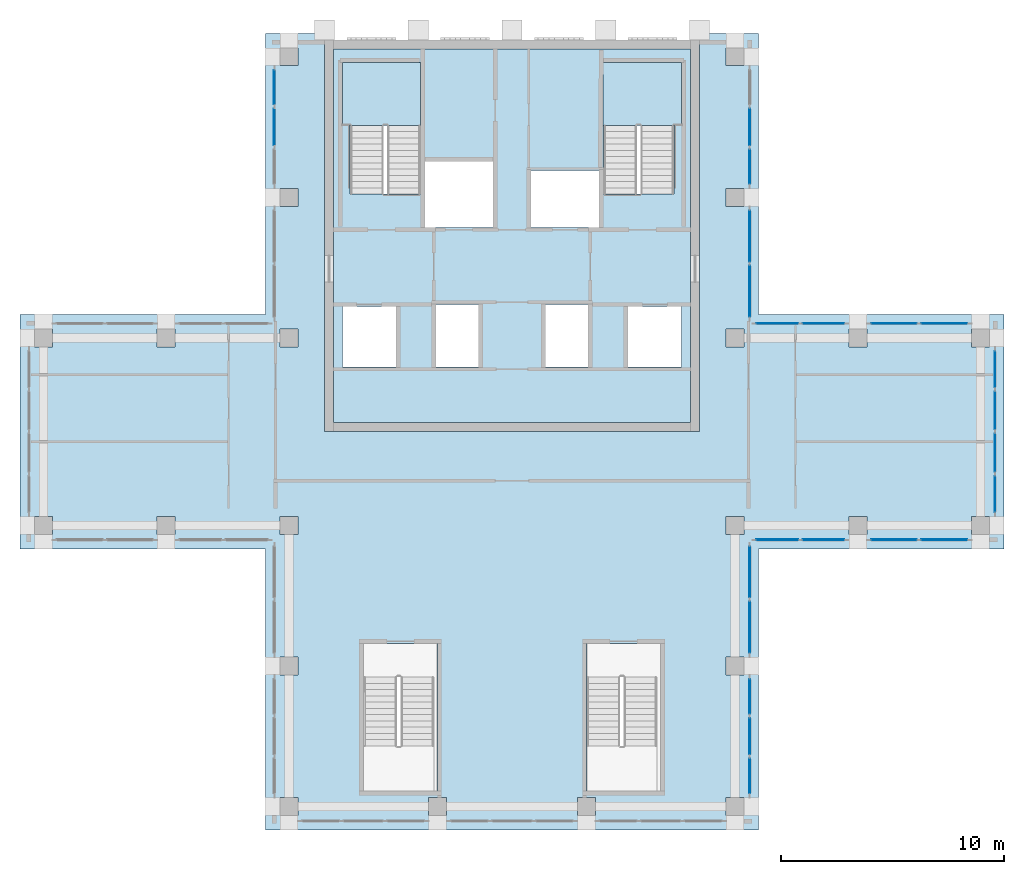
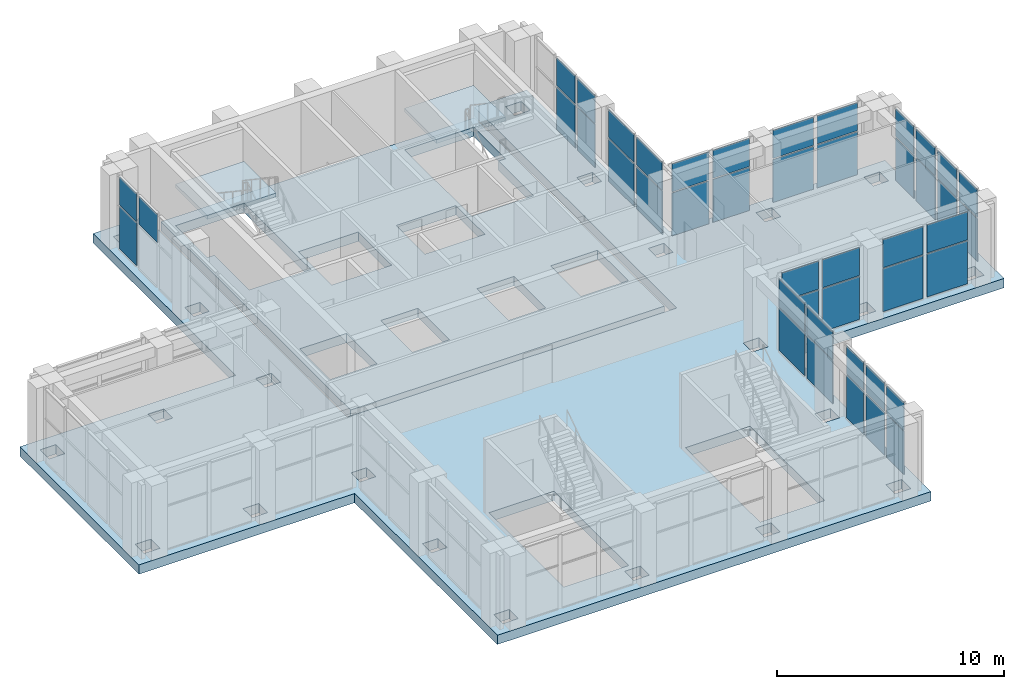
# One storey, part 8 of 14: 45 plates, 4 slabs, 12 elements without a shape of their own.
"""IFC4 building model written with IfcOpenShell, lengths in metres."""

from ifc_helpers import new_model, si_unit, direction, frame, origin, origin_2d, place, context, subcontext, project, spatial, polyline, rectangle, outline, extrude, material, layer, layer_set, type_object, element, aggregate, save


model = new_model("IFC4")

# Units and contexts
model_context = context("Model", 3, precision=1e-05, world=origin(), true_north=direction((0.0, 1.0)))
body_context = subcontext(model_context, "Body", "Model", "MODEL_VIEW")
ifc_project = project(units=[si_unit("LENGTHUNIT", "METRE"), si_unit("AREAUNIT", "SQUARE_METRE"), si_unit("VOLUMEUNIT", "CUBIC_METRE"), si_unit("PLANEANGLEUNIT", "RADIAN"), si_unit("MASSUNIT", "GRAM", prefix="KILO")], contexts=[model_context])

# Site, building, storey
site_placement = place(None, origin())
site = spatial("IfcSite", under=ifc_project, at=site_placement, CompositionType="ELEMENT")
building_placement = place(site_placement, origin())
building = spatial("IfcBuilding", under=site, at=building_placement, Name="Vermilion Ogive Tower", CompositionType="ELEMENT")
storey_placement = place(building_placement, frame((0.0, 0.0, 289.35009765625)))
storey = spatial("IfcBuildingStorey", under=building, at=storey_placement, Name="L75", CompositionType="ELEMENT", Elevation=289.35009765625)

# Curtain wall, plates
ifc_material_1 = material(Name="Low-iron laminated glazing in aluminium frame", Category="aluminium")
curtain_wall_type = type_object("IfcCurtainWallType", Name="Curtain wall CW3", PredefinedType="NOTDEFINED", material=ifc_material_1)
curtain_wall_1_placement = place(storey_placement, origin())
curtain_wall_1 = element("IfcCurtainWall", 1, at=curtain_wall_1_placement, inside=storey, type_object=curtain_wall_type, Name="CW3 glazing X11", PredefinedType="NOTDEFINED")
ifc_material_2 = material(Name="Low-iron laminated glazing in aluminium frame", Category="aluminium")
ifc_layer_1 = layer(ifc_material_2, 0.035888671875)
ifc_layer_set_1 = layer_set([ifc_layer_1], Name="CW3 glazing panel 36")
plate_type = type_object("IfcPlateType", Name="CW3 glazing panel 36", PredefinedType="CURTAIN_PANEL", material=ifc_layer_set_1)
plate_1_placement = place(storey_placement, frame((10.64990234375, -11.2333984375, 0.059814453125), z_axis=(0.0, 0.0, 1.0), x_axis=(0.0, 1.0, 0.0)))
plate_1 = element("IfcPlate", 2, at=plate_1_placement, type_object=plate_type, Name="CW3-X11 panel 1.1", PredefinedType="CURTAIN_PANEL", context=body_context, shape_type="SweptSolid", body=[
    extrude(rectangle(XDim=1.533447265625, YDim=0.035888671875, at=origin_2d()), origin(), (0.0, 0.0, 1.0), 2.31005859375),
])
plate_2_placement = place(storey_placement, frame((10.64990234375, -11.2333984375, 2.4296875), z_axis=(0.0, 0.0, 1.0), x_axis=(0.0, 1.0, 0.0)))
plate_2 = element("IfcPlate", 3, at=plate_2_placement, type_object=plate_type, Name="CW3-X11 panel 1.2", PredefinedType="CURTAIN_PANEL", context=body_context, shape_type="SweptSolid", body=[
    extrude(rectangle(XDim=1.533447265625, YDim=0.035888671875, at=origin_2d()), origin(), (0.0, 0.0, 1.0), 1.510009765625),
])
plate_3_placement = place(storey_placement, frame((10.64990234375, -9.449951171875, 0.059814453125), z_axis=(0.0, 0.0, 1.0), x_axis=(0.0, 1.0, 0.0)))
plate_3 = element("IfcPlate", 4, at=plate_3_placement, type_object=plate_type, Name="CW3-X11 panel 2.1", PredefinedType="CURTAIN_PANEL", context=body_context, shape_type="SweptSolid", body=[
    extrude(rectangle(XDim=1.63330078125, YDim=0.035888671875, at=origin_2d()), origin(), (0.0, 0.0, 1.0), 2.31005859375),
])
plate_4_placement = place(storey_placement, frame((10.64990234375, -9.449951171875, 2.4296875), z_axis=(0.0, 0.0, 1.0), x_axis=(0.0, 1.0, 0.0)))
plate_4 = element("IfcPlate", 5, at=plate_4_placement, type_object=plate_type, Name="CW3-X11 panel 2.2", PredefinedType="CURTAIN_PANEL", context=body_context, shape_type="SweptSolid", body=[
    extrude(rectangle(XDim=1.63330078125, YDim=0.035888671875, at=origin_2d()), origin(), (0.0, 0.0, 1.0), 1.510009765625),
])
plate_5_placement = place(storey_placement, frame((10.64990234375, -7.666748046875, 0.059814453125), z_axis=(0.0, 0.0, 1.0), x_axis=(0.0, 1.0, 0.0)))
plate_5 = element("IfcPlate", 6, at=plate_5_placement, type_object=plate_type, Name="CW3-X11 panel 3.1", PredefinedType="CURTAIN_PANEL", context=body_context, shape_type="SweptSolid", body=[
    extrude(rectangle(XDim=1.533447265625, YDim=0.035888671875, at=origin_2d()), origin(), (0.0, 0.0, 1.0), 2.31005859375),
])
plate_6_placement = place(storey_placement, frame((10.64990234375, -7.666748046875, 2.4296875), z_axis=(0.0, 0.0, 1.0), x_axis=(0.0, 1.0, 0.0)))
plate_6 = element("IfcPlate", 7, at=plate_6_placement, type_object=plate_type, Name="CW3-X11 panel 3.2", PredefinedType="CURTAIN_PANEL", context=body_context, shape_type="SweptSolid", body=[
    extrude(rectangle(XDim=1.533447265625, YDim=0.035888671875, at=origin_2d()), origin(), (0.0, 0.0, 1.0), 1.510009765625),
])
aggregate(curtain_wall_1, [plate_1, plate_2, plate_3, plate_4, plate_5, plate_6])

curtain_wall_2_placement = place(storey_placement, origin())
curtain_wall_2 = element("IfcCurtainWall", 8, at=curtain_wall_2_placement, inside=storey, type_object=curtain_wall_type, Name="CW3 glazing X12", PredefinedType="NOTDEFINED")
plate_7_placement = place(storey_placement, frame((10.64990234375, -4.5625, 0.059814453125), z_axis=(0.0, 0.0, 1.0), x_axis=(0.0, 1.0, 0.0)))
plate_7 = element("IfcPlate", 9, at=plate_7_placement, type_object=plate_type, Name="CW3-X12 panel 1.1", PredefinedType="CURTAIN_PANEL", context=body_context, shape_type="SweptSolid", body=[
    extrude(rectangle(XDim=2.27490234375, YDim=0.035888671875, at=origin_2d()), origin(), (0.0, 0.0, 1.0), 2.31005859375),
])
plate_8_placement = place(storey_placement, frame((10.64990234375, -4.5625, 2.4296875), z_axis=(0.0, 0.0, 1.0), x_axis=(0.0, 1.0, 0.0)))
plate_8 = element("IfcPlate", 10, at=plate_8_placement, type_object=plate_type, Name="CW3-X12 panel 1.2", PredefinedType="CURTAIN_PANEL", context=body_context, shape_type="SweptSolid", body=[
    extrude(rectangle(XDim=2.27490234375, YDim=0.035888671875, at=origin_2d()), origin(), (0.0, 0.0, 1.0), 1.510009765625),
])
plate_9_placement = place(storey_placement, frame((10.64990234375, -2.08740234375, 0.059814453125), z_axis=(0.0, 0.0, 1.0), x_axis=(0.0, 1.0, 0.0)))
plate_9 = element("IfcPlate", 11, at=plate_9_placement, type_object=plate_type, Name="CW3-X12 panel 2.1", PredefinedType="CURTAIN_PANEL", context=body_context, shape_type="SweptSolid", body=[
    extrude(rectangle(XDim=2.27490234375, YDim=0.035888671875, at=origin_2d()), origin(), (0.0, 0.0, 1.0), 2.31005859375),
])
plate_10_placement = place(storey_placement, frame((10.64990234375, -2.08740234375, 2.4296875), z_axis=(0.0, 0.0, 1.0), x_axis=(0.0, 1.0, 0.0)))
plate_10 = element("IfcPlate", 12, at=plate_10_placement, type_object=plate_type, Name="CW3-X12 panel 2.2", PredefinedType="CURTAIN_PANEL", context=body_context, shape_type="SweptSolid", body=[
    extrude(rectangle(XDim=2.27490234375, YDim=0.035888671875, at=origin_2d()), origin(), (0.0, 0.0, 1.0), 1.510009765625),
])
aggregate(curtain_wall_2, [plate_7, plate_8, plate_9, plate_10])

curtain_wall_3_placement = place(storey_placement, origin())
curtain_wall_3 = element("IfcCurtainWall", 13, at=curtain_wall_3_placement, inside=storey, type_object=curtain_wall_type, Name="CW3 glazing X21", PredefinedType="NOTDEFINED")
plate_11_placement = place(storey_placement, frame((11.887451171875, -0.64990234375, 0.059814453125), z_axis=(0.0, 0.0, 1.0), x_axis=(1.0, 0.0, 0.0)))
plate_11 = element("IfcPlate", 14, at=plate_11_placement, type_object=plate_type, Name="CW3-X21 panel 1.1", PredefinedType="CURTAIN_PANEL", context=body_context, shape_type="SweptSolid", body=[
    extrude(rectangle(XDim=1.875, YDim=0.035888671875, at=origin_2d()), origin(), (0.0, 0.0, 1.0), 2.31005859375),
])
plate_12_placement = place(storey_placement, frame((11.887451171875, -0.64990234375, 2.4296875), z_axis=(0.0, 0.0, 1.0), x_axis=(1.0, 0.0, 0.0)))
plate_12 = element("IfcPlate", 15, at=plate_12_placement, type_object=plate_type, Name="CW3-X21 panel 1.2", PredefinedType="CURTAIN_PANEL", context=body_context, shape_type="SweptSolid", body=[
    extrude(rectangle(XDim=1.875, YDim=0.035888671875, at=origin_2d()), origin(), (0.0, 0.0, 1.0), 1.510009765625),
])
plate_13_placement = place(storey_placement, frame((13.96240234375, -0.64990234375, 0.059814453125), z_axis=(0.0, 0.0, 1.0), x_axis=(1.0, 0.0, 0.0)))
plate_13 = element("IfcPlate", 16, at=plate_13_placement, type_object=plate_type, Name="CW3-X21 panel 2.1", PredefinedType="CURTAIN_PANEL", context=body_context, shape_type="SweptSolid", body=[
    extrude(rectangle(XDim=1.875, YDim=0.035888671875, at=origin_2d()), origin(), (0.0, 0.0, 1.0), 2.31005859375),
])
plate_14_placement = place(storey_placement, frame((13.96240234375, -0.64990234375, 2.4296875), z_axis=(0.0, 0.0, 1.0), x_axis=(1.0, 0.0, 0.0)))
plate_14 = element("IfcPlate", 17, at=plate_14_placement, type_object=plate_type, Name="CW3-X21 panel 2.2", PredefinedType="CURTAIN_PANEL", context=body_context, shape_type="SweptSolid", body=[
    extrude(rectangle(XDim=1.875, YDim=0.035888671875, at=origin_2d()), origin(), (0.0, 0.0, 1.0), 1.510009765625),
])
aggregate(curtain_wall_3, [plate_11, plate_12, plate_13, plate_14])

curtain_wall_4_placement = place(storey_placement, origin())
curtain_wall_4 = element("IfcCurtainWall", 18, at=curtain_wall_4_placement, inside=storey, type_object=curtain_wall_type, Name="CW3 glazing X22", PredefinedType="NOTDEFINED")
plate_15_placement = place(storey_placement, frame((17.125, -0.64990234375, 0.059814453125), z_axis=(0.0, 0.0, 1.0), x_axis=(1.0, 0.0, 0.0)))
plate_15 = element("IfcPlate", 19, at=plate_15_placement, type_object=plate_type, Name="CW3-X22 panel 1.1", PredefinedType="CURTAIN_PANEL", context=body_context, shape_type="SweptSolid", body=[
    extrude(rectangle(XDim=2.050048828125, YDim=0.035888671875, at=origin_2d()), origin(), (0.0, 0.0, 1.0), 2.31005859375),
])
plate_16_placement = place(storey_placement, frame((17.125, -0.64990234375, 2.4296875), z_axis=(0.0, 0.0, 1.0), x_axis=(1.0, 0.0, 0.0)))
plate_16 = element("IfcPlate", 20, at=plate_16_placement, type_object=plate_type, Name="CW3-X22 panel 1.2", PredefinedType="CURTAIN_PANEL", context=body_context, shape_type="SweptSolid", body=[
    extrude(rectangle(XDim=2.050048828125, YDim=0.035888671875, at=origin_2d()), origin(), (0.0, 0.0, 1.0), 1.510009765625),
])
plate_17_placement = place(storey_placement, frame((19.375, -0.64990234375, 0.059814453125), z_axis=(0.0, 0.0, 1.0), x_axis=(1.0, 0.0, 0.0)))
plate_17 = element("IfcPlate", 21, at=plate_17_placement, type_object=plate_type, Name="CW3-X22 panel 2.1", PredefinedType="CURTAIN_PANEL", context=body_context, shape_type="SweptSolid", body=[
    extrude(rectangle(XDim=2.050048828125, YDim=0.035888671875, at=origin_2d()), origin(), (0.0, 0.0, 1.0), 2.31005859375),
])
plate_18_placement = place(storey_placement, frame((19.375, -0.64990234375, 2.4296875), z_axis=(0.0, 0.0, 1.0), x_axis=(1.0, 0.0, 0.0)))
plate_18 = element("IfcPlate", 22, at=plate_18_placement, type_object=plate_type, Name="CW3-X22 panel 2.2", PredefinedType="CURTAIN_PANEL", context=body_context, shape_type="SweptSolid", body=[
    extrude(rectangle(XDim=2.050048828125, YDim=0.035888671875, at=origin_2d()), origin(), (0.0, 0.0, 1.0), 1.510009765625),
])
aggregate(curtain_wall_4, [plate_15, plate_16, plate_17, plate_18])

curtain_wall_5_placement = place(storey_placement, origin())
curtain_wall_5 = element("IfcCurtainWall", 23, at=curtain_wall_5_placement, inside=storey, type_object=curtain_wall_type, Name="CW3 glazing E1", PredefinedType="NOTDEFINED")
plate_19_placement = place(storey_placement, frame((21.64990234375, 1.39990234375, 0.059814453125), z_axis=(0.0, 0.0, 1.0), x_axis=(0.0, 1.0, 0.0)))
plate_19 = element("IfcPlate", 24, at=plate_19_placement, type_object=plate_type, Name="CW3-E1 panel 1.1", PredefinedType="CURTAIN_PANEL", context=body_context, shape_type="SweptSolid", body=[
    extrude(rectangle(XDim=1.60009765625, YDim=0.035888671875, at=origin_2d()), origin(), (0.0, 0.0, 1.0), 2.31005859375),
])
plate_20_placement = place(storey_placement, frame((21.64990234375, 1.39990234375, 2.4296875), z_axis=(0.0, 0.0, 1.0), x_axis=(0.0, 1.0, 0.0)))
plate_20 = element("IfcPlate", 25, at=plate_20_placement, type_object=plate_type, Name="CW3-E1 panel 1.2", PredefinedType="CURTAIN_PANEL", context=body_context, shape_type="SweptSolid", body=[
    extrude(rectangle(XDim=1.60009765625, YDim=0.035888671875, at=origin_2d()), origin(), (0.0, 0.0, 1.0), 1.510009765625),
])
plate_21_placement = place(storey_placement, frame((21.64990234375, 3.25, 0.059814453125), z_axis=(0.0, 0.0, 1.0), x_axis=(0.0, 1.0, 0.0)))
plate_21 = element("IfcPlate", 26, at=plate_21_placement, type_object=plate_type, Name="CW3-E1 panel 2.1", PredefinedType="CURTAIN_PANEL", context=body_context, shape_type="SweptSolid", body=[
    extrude(rectangle(XDim=1.699951171875, YDim=0.035888671875, at=origin_2d()), origin(), (0.0, 0.0, 1.0), 2.31005859375),
])
plate_22_placement = place(storey_placement, frame((21.64990234375, 3.25, 2.4296875), z_axis=(0.0, 0.0, 1.0), x_axis=(0.0, 1.0, 0.0)))
plate_22 = element("IfcPlate", 27, at=plate_22_placement, type_object=plate_type, Name="CW3-E1 panel 2.2", PredefinedType="CURTAIN_PANEL", context=body_context, shape_type="SweptSolid", body=[
    extrude(rectangle(XDim=1.699951171875, YDim=0.035888671875, at=origin_2d()), origin(), (0.0, 0.0, 1.0), 1.510009765625),
])
plate_23_placement = place(storey_placement, frame((21.64990234375, 5.14990234375, 0.059814453125), z_axis=(0.0, 0.0, 1.0), x_axis=(0.0, 1.0, 0.0)))
plate_23 = element("IfcPlate", 28, at=plate_23_placement, type_object=plate_type, Name="CW3-E1 panel 3.1", PredefinedType="CURTAIN_PANEL", context=body_context, shape_type="SweptSolid", body=[
    extrude(rectangle(XDim=1.699951171875, YDim=0.035888671875, at=origin_2d()), origin(), (0.0, 0.0, 1.0), 2.31005859375),
])
plate_24_placement = place(storey_placement, frame((21.64990234375, 5.14990234375, 2.4296875), z_axis=(0.0, 0.0, 1.0), x_axis=(0.0, 1.0, 0.0)))
plate_24 = element("IfcPlate", 29, at=plate_24_placement, type_object=plate_type, Name="CW3-E1 panel 3.2", PredefinedType="CURTAIN_PANEL", context=body_context, shape_type="SweptSolid", body=[
    extrude(rectangle(XDim=1.699951171875, YDim=0.035888671875, at=origin_2d()), origin(), (0.0, 0.0, 1.0), 1.510009765625),
])
plate_25_placement = place(storey_placement, frame((21.64990234375, 7.0, 0.059814453125), z_axis=(0.0, 0.0, 1.0), x_axis=(0.0, 1.0, 0.0)))
plate_25 = element("IfcPlate", 30, at=plate_25_placement, type_object=plate_type, Name="CW3-E1 panel 4.1", PredefinedType="CURTAIN_PANEL", context=body_context, shape_type="SweptSolid", body=[
    extrude(rectangle(XDim=1.60009765625, YDim=0.035888671875, at=origin_2d()), origin(), (0.0, 0.0, 1.0), 2.31005859375),
])
plate_26_placement = place(storey_placement, frame((21.64990234375, 7.0, 2.4296875), z_axis=(0.0, 0.0, 1.0), x_axis=(0.0, 1.0, 0.0)))
plate_26 = element("IfcPlate", 31, at=plate_26_placement, type_object=plate_type, Name="CW3-E1 panel 4.2", PredefinedType="CURTAIN_PANEL", context=body_context, shape_type="SweptSolid", body=[
    extrude(rectangle(XDim=1.60009765625, YDim=0.035888671875, at=origin_2d()), origin(), (0.0, 0.0, 1.0), 1.510009765625),
])
aggregate(curtain_wall_5, [plate_19, plate_20, plate_21, plate_22, plate_23, plate_24, plate_25, plate_26])

curtain_wall_6_placement = place(storey_placement, origin())
curtain_wall_6 = element("IfcCurtainWall", 32, at=curtain_wall_6_placement, inside=storey, type_object=curtain_wall_type, Name="CW3 glazing X31", PredefinedType="NOTDEFINED")
plate_27_placement = place(storey_placement, frame((19.375, 9.050048828125, 0.059814453125), z_axis=(0.0, 0.0, 1.0), x_axis=(-1.0, 0.0, 0.0)))
plate_27 = element("IfcPlate", 33, at=plate_27_placement, type_object=plate_type, Name="CW3-X31 panel 1.1", PredefinedType="CURTAIN_PANEL", context=body_context, shape_type="SweptSolid", body=[
    extrude(rectangle(XDim=2.050048828125, YDim=0.035888671875, at=origin_2d()), origin(), (0.0, 0.0, 1.0), 2.31005859375),
])
plate_28_placement = place(storey_placement, frame((19.375, 9.050048828125, 2.4296875), z_axis=(0.0, 0.0, 1.0), x_axis=(-1.0, 0.0, 0.0)))
plate_28 = element("IfcPlate", 34, at=plate_28_placement, type_object=plate_type, Name="CW3-X31 panel 1.2", PredefinedType="CURTAIN_PANEL", context=body_context, shape_type="SweptSolid", body=[
    extrude(rectangle(XDim=2.050048828125, YDim=0.035888671875, at=origin_2d()), origin(), (0.0, 0.0, 1.0), 1.510009765625),
])
plate_29_placement = place(storey_placement, frame((17.125, 9.050048828125, 0.059814453125), z_axis=(0.0, 0.0, 1.0), x_axis=(-1.0, 0.0, 0.0)))
plate_29 = element("IfcPlate", 35, at=plate_29_placement, type_object=plate_type, Name="CW3-X31 panel 2.1", PredefinedType="CURTAIN_PANEL", context=body_context, shape_type="SweptSolid", body=[
    extrude(rectangle(XDim=2.050048828125, YDim=0.035888671875, at=origin_2d()), origin(), (0.0, 0.0, 1.0), 2.31005859375),
])
plate_30_placement = place(storey_placement, frame((17.125, 9.050048828125, 2.4296875), z_axis=(0.0, 0.0, 1.0), x_axis=(-1.0, 0.0, 0.0)))
plate_30 = element("IfcPlate", 36, at=plate_30_placement, type_object=plate_type, Name="CW3-X31 panel 2.2", PredefinedType="CURTAIN_PANEL", context=body_context, shape_type="SweptSolid", body=[
    extrude(rectangle(XDim=2.050048828125, YDim=0.035888671875, at=origin_2d()), origin(), (0.0, 0.0, 1.0), 1.510009765625),
])
aggregate(curtain_wall_6, [plate_27, plate_28, plate_29, plate_30])

curtain_wall_7_placement = place(storey_placement, origin())
curtain_wall_7 = element("IfcCurtainWall", 37, at=curtain_wall_7_placement, inside=storey, type_object=curtain_wall_type, Name="CW3 glazing X32", PredefinedType="NOTDEFINED")
plate_31_placement = place(storey_placement, frame((13.96240234375, 9.050048828125, 0.059814453125), z_axis=(0.0, 0.0, 1.0), x_axis=(-1.0, 0.0, 0.0)))
plate_31 = element("IfcPlate", 38, at=plate_31_placement, type_object=plate_type, Name="CW3-X32 panel 1.1", PredefinedType="CURTAIN_PANEL", context=body_context, shape_type="SweptSolid", body=[
    extrude(rectangle(XDim=1.875, YDim=0.035888671875, at=origin_2d()), origin(), (0.0, 0.0, 1.0), 2.31005859375),
])
plate_32_placement = place(storey_placement, frame((13.96240234375, 9.050048828125, 2.4296875), z_axis=(0.0, 0.0, 1.0), x_axis=(-1.0, 0.0, 0.0)))
plate_32 = element("IfcPlate", 39, at=plate_32_placement, type_object=plate_type, Name="CW3-X32 panel 1.2", PredefinedType="CURTAIN_PANEL", context=body_context, shape_type="SweptSolid", body=[
    extrude(rectangle(XDim=1.875, YDim=0.035888671875, at=origin_2d()), origin(), (0.0, 0.0, 1.0), 1.510009765625),
])
plate_33_placement = place(storey_placement, frame((11.887451171875, 9.050048828125, 0.059814453125), z_axis=(0.0, 0.0, 1.0), x_axis=(-1.0, 0.0, 0.0)))
plate_33 = element("IfcPlate", 40, at=plate_33_placement, type_object=plate_type, Name="CW3-X32 panel 2.1", PredefinedType="CURTAIN_PANEL", context=body_context, shape_type="SweptSolid", body=[
    extrude(rectangle(XDim=1.875, YDim=0.035888671875, at=origin_2d()), origin(), (0.0, 0.0, 1.0), 2.31005859375),
])
plate_34_placement = place(storey_placement, frame((11.887451171875, 9.050048828125, 2.4296875), z_axis=(0.0, 0.0, 1.0), x_axis=(-1.0, 0.0, 0.0)))
plate_34 = element("IfcPlate", 41, at=plate_34_placement, type_object=plate_type, Name="CW3-X32 panel 2.2", PredefinedType="CURTAIN_PANEL", context=body_context, shape_type="SweptSolid", body=[
    extrude(rectangle(XDim=1.875, YDim=0.035888671875, at=origin_2d()), origin(), (0.0, 0.0, 1.0), 1.510009765625),
])
aggregate(curtain_wall_7, [plate_31, plate_32, plate_33, plate_34])

curtain_wall_8_placement = place(storey_placement, origin())
curtain_wall_8 = element("IfcCurtainWall", 42, at=curtain_wall_8_placement, inside=storey, type_object=curtain_wall_type, Name="CW3 glazing X41", PredefinedType="NOTDEFINED")
plate_35_placement = place(storey_placement, frame((10.64990234375, 10.487548828125, 0.059814453125), z_axis=(0.0, 0.0, 1.0), x_axis=(0.0, 1.0, 0.0)))
plate_35 = element("IfcPlate", 43, at=plate_35_placement, type_object=plate_type, Name="CW3-X41 panel 1.1", PredefinedType="CURTAIN_PANEL", context=body_context, shape_type="SweptSolid", body=[
    extrude(rectangle(XDim=2.27490234375, YDim=0.035888671875, at=origin_2d()), origin(), (0.0, 0.0, 1.0), 2.31005859375),
])
plate_36_placement = place(storey_placement, frame((10.64990234375, 10.487548828125, 2.4296875), z_axis=(0.0, 0.0, 1.0), x_axis=(0.0, 1.0, 0.0)))
plate_36 = element("IfcPlate", 44, at=plate_36_placement, type_object=plate_type, Name="CW3-X41 panel 1.2", PredefinedType="CURTAIN_PANEL", context=body_context, shape_type="SweptSolid", body=[
    extrude(rectangle(XDim=2.27490234375, YDim=0.035888671875, at=origin_2d()), origin(), (0.0, 0.0, 1.0), 1.510009765625),
])
plate_37_placement = place(storey_placement, frame((10.64990234375, 12.96240234375, 0.059814453125), z_axis=(0.0, 0.0, 1.0), x_axis=(0.0, 1.0, 0.0)))
plate_37 = element("IfcPlate", 45, at=plate_37_placement, type_object=plate_type, Name="CW3-X41 panel 2.1", PredefinedType="CURTAIN_PANEL", context=body_context, shape_type="SweptSolid", body=[
    extrude(rectangle(XDim=2.27490234375, YDim=0.035888671875, at=origin_2d()), origin(), (0.0, 0.0, 1.0), 2.31005859375),
])
plate_38_placement = place(storey_placement, frame((10.64990234375, 12.96240234375, 2.4296875), z_axis=(0.0, 0.0, 1.0), x_axis=(0.0, 1.0, 0.0)))
plate_38 = element("IfcPlate", 46, at=plate_38_placement, type_object=plate_type, Name="CW3-X41 panel 2.2", PredefinedType="CURTAIN_PANEL", context=body_context, shape_type="SweptSolid", body=[
    extrude(rectangle(XDim=2.27490234375, YDim=0.035888671875, at=origin_2d()), origin(), (0.0, 0.0, 1.0), 1.510009765625),
])
aggregate(curtain_wall_8, [plate_35, plate_36, plate_37, plate_38])

curtain_wall_9_placement = place(storey_placement, origin())
curtain_wall_9 = element("IfcCurtainWall", 47, at=curtain_wall_9_placement, inside=storey, type_object=curtain_wall_type, Name="CW3 glazing X42", PredefinedType="NOTDEFINED")
plate_39_placement = place(storey_placement, frame((10.64990234375, 16.066650390625, 0.059814453125), z_axis=(0.0, 0.0, 1.0), x_axis=(0.0, 1.0, 0.0)))
plate_39 = element("IfcPlate", 48, at=plate_39_placement, type_object=plate_type, Name="CW3-X42 panel 1.1", PredefinedType="CURTAIN_PANEL", context=body_context, shape_type="SweptSolid", body=[
    extrude(rectangle(XDim=1.533447265625, YDim=0.035888671875, at=origin_2d()), origin(), (0.0, 0.0, 1.0), 2.31005859375),
])
plate_40_placement = place(storey_placement, frame((10.64990234375, 16.066650390625, 2.4296875), z_axis=(0.0, 0.0, 1.0), x_axis=(0.0, 1.0, 0.0)))
plate_40 = element("IfcPlate", 49, at=plate_40_placement, type_object=plate_type, Name="CW3-X42 panel 1.2", PredefinedType="CURTAIN_PANEL", context=body_context, shape_type="SweptSolid", body=[
    extrude(rectangle(XDim=1.533447265625, YDim=0.035888671875, at=origin_2d()), origin(), (0.0, 0.0, 1.0), 1.510009765625),
])
plate_41_placement = place(storey_placement, frame((10.64990234375, 17.85009765625, 0.059814453125), z_axis=(0.0, 0.0, 1.0), x_axis=(0.0, 1.0, 0.0)))
plate_41 = element("IfcPlate", 50, at=plate_41_placement, type_object=plate_type, Name="CW3-X42 panel 2.1", PredefinedType="CURTAIN_PANEL", context=body_context, shape_type="SweptSolid", body=[
    extrude(rectangle(XDim=1.63330078125, YDim=0.035888671875, at=origin_2d()), origin(), (0.0, 0.0, 1.0), 2.31005859375),
])
plate_42_placement = place(storey_placement, frame((10.64990234375, 17.85009765625, 2.4296875), z_axis=(0.0, 0.0, 1.0), x_axis=(0.0, 1.0, 0.0)))
plate_42 = element("IfcPlate", 51, at=plate_42_placement, type_object=plate_type, Name="CW3-X42 panel 2.2", PredefinedType="CURTAIN_PANEL", context=body_context, shape_type="SweptSolid", body=[
    extrude(rectangle(XDim=1.63330078125, YDim=0.035888671875, at=origin_2d()), origin(), (0.0, 0.0, 1.0), 1.510009765625),
])
aggregate(curtain_wall_9, [plate_39, plate_40, plate_41, plate_42])

curtain_wall_10_placement = place(storey_placement, origin())
curtain_wall_10 = element("IfcCurtainWall", 52, at=curtain_wall_10_placement, inside=storey, type_object=curtain_wall_type, Name="CW3 glazing X51", PredefinedType="NOTDEFINED")
plate_43_placement = place(storey_placement, frame((-10.64990234375, 19.63330078125, 0.059814453125), z_axis=(0.0, 0.0, 1.0), x_axis=(0.0, -1.0, 0.0)))
plate_43 = element("IfcPlate", 53, at=plate_43_placement, type_object=plate_type, Name="CW3-X51 panel 1.1", PredefinedType="CURTAIN_PANEL", context=body_context, shape_type="SweptSolid", body=[
    extrude(rectangle(XDim=1.533447265625, YDim=0.035888671875, at=origin_2d()), origin(), (0.0, 0.0, 1.0), 2.31005859375),
])
plate_44_placement = place(storey_placement, frame((-10.64990234375, 19.63330078125, 2.4296875), z_axis=(0.0, 0.0, 1.0), x_axis=(0.0, -1.0, 0.0)))
plate_44 = element("IfcPlate", 54, at=plate_44_placement, type_object=plate_type, Name="CW3-X51 panel 1.2", PredefinedType="CURTAIN_PANEL", context=body_context, shape_type="SweptSolid", body=[
    extrude(rectangle(XDim=1.533447265625, YDim=0.035888671875, at=origin_2d()), origin(), (0.0, 0.0, 1.0), 1.510009765625),
])
plate_45_placement = place(storey_placement, frame((-10.64990234375, 17.85009765625, 2.4296875), z_axis=(0.0, 0.0, 1.0), x_axis=(0.0, -1.0, 0.0)))
plate_45 = element("IfcPlate", 55, at=plate_45_placement, type_object=plate_type, Name="CW3-X51 panel 2.2", PredefinedType="CURTAIN_PANEL", context=body_context, shape_type="SweptSolid", body=[
    extrude(rectangle(XDim=1.63330078125, YDim=0.035888671875, at=origin_2d()), origin(), (0.0, 0.0, 1.0), 1.510009765625),
])
aggregate(curtain_wall_10, [plate_43, plate_44, plate_45])

# Slabs
ifc_material_3 = material(Name="Concrete B40", Category="concrete")
ifc_layer_2 = layer(ifc_material_3, 0.5)
ifc_layer_set_2 = layer_set([ifc_layer_2], Name="Core floor slab 500 B40")
slab_type_1 = type_object("IfcSlabType", Name="Core floor slab 500 B40", PredefinedType="FLOOR", material=ifc_layer_set_2)
slab_1_placement = place(storey_placement, frame((0.0, 0.0, -0.5)))
element("IfcSlab", 56, at=slab_1_placement, inside=storey, type_object=slab_type_1, Name="L75-CK-FS1", PredefinedType="FLOOR", context=body_context, shape_type="SweptSolid", body=[
    extrude(outline(polyline([(-7.99609375, 4.60400390625), (7.99609375, 4.60400390625), (7.99609375, 21.345947265625), (-7.99609375, 21.345947265625), (-7.99609375, 4.60400390625)]), holes=[polyline([(-5.199951171875, 7.10009765625), (-7.60009765625, 7.10009765625), (-7.60009765625, 9.800048828125), (-5.199951171875, 9.800048828125), (-5.199951171875, 7.10009765625)]), polyline([(5.199951171875, 7.10009765625), (5.199951171875, 9.800048828125), (7.60009765625, 9.800048828125), (7.60009765625, 7.10009765625), (5.199951171875, 7.10009765625)]), polyline([(-3.39990234375, 7.10009765625), (-3.39990234375, 9.89990234375), (-1.5, 9.89990234375), (-1.5, 7.10009765625), (-3.39990234375, 7.10009765625)]), polyline([(3.39990234375, 7.10009765625), (1.5, 7.10009765625), (1.5, 9.89990234375), (3.39990234375, 9.89990234375), (3.39990234375, 7.10009765625)]), polyline([(3.89990234375, 13.35009765625), (0.85009765625, 13.35009765625), (0.85009765625, 15.89990234375), (3.89990234375, 15.89990234375), (3.89990234375, 13.35009765625)]), polyline([(-0.85009765625, 13.35009765625), (-3.89990234375, 13.35009765625), (-3.89990234375, 16.300048828125), (-0.85009765625, 16.300048828125), (-0.85009765625, 13.35009765625)]), polyline([(-7.60009765625, 17.929931640625), (-7.60009765625, 20.75), (-4.10009765625, 20.75), (-4.10009765625, 14.85205078125), (-5.60009765625, 14.85205078125), (-5.60009765625, 14.85009765625), (-5.75, 14.85009765625), (-5.75, 14.85205078125), (-7.25, 14.85205078125), (-7.25, 17.929931640625), (-7.60009765625, 17.929931640625)]), polyline([(5.75, 14.85009765625), (5.60009765625, 14.85009765625), (5.60009765625, 14.85205078125), (4.10009765625, 14.85205078125), (4.10009765625, 17.929931640625), (4.074951171875, 17.929931640625), (4.074951171875, 20.75), (7.60009765625, 20.75), (7.60009765625, 17.929931640625), (7.25, 17.929931640625), (7.25, 14.85205078125), (5.75, 14.85205078125), (5.75, 14.85009765625)])]), origin(), (0.0, 0.0, 1.0), 0.5),
])
ifc_material_4 = material(Name="Concrete B45", Category="concrete")
ifc_layer_3 = layer(ifc_material_4, 0.5)
ifc_layer_set_3 = layer_set([ifc_layer_3], Name="Post-tensioned flat plate 500 B45")
slab_type_2 = type_object("IfcSlabType", Name="Post-tensioned flat plate 500 B45", PredefinedType="FLOOR", material=ifc_layer_set_3)
slab_2_placement = place(storey_placement, frame((0.0, 0.0, -0.5)))
element("IfcSlab", 57, at=slab_2_placement, inside=storey, type_object=slab_type_2, Name="L75-SL-1", PredefinedType="FLOOR", context=body_context, shape_type="SweptSolid", body=[
    extrude(outline(polyline([(-11.050048828125, -1.050048828125), (-22.050048828125, -1.050048828125), (-22.050048828125, 9.449951171875), (-11.050048828125, 9.449951171875), (-11.050048828125, 22.050048828125), (-8.39990234375, 22.050048828125), (-8.39990234375, 4.199951171875), (8.39990234375, 4.199951171875), (8.39990234375, 22.050048828125), (11.050048828125, 22.050048828125), (11.050048828125, 9.449951171875), (22.050048828125, 9.449951171875), (22.050048828125, -1.050048828125), (11.050048828125, -1.050048828125), (11.050048828125, -13.64990234375), (-11.050048828125, -13.64990234375), (-11.050048828125, -1.050048828125)]), holes=[polyline([(21.39990234375, 8.0), (21.39990234375, 8.800048828125), (20.60009765625, 8.800048828125), (20.60009765625, 8.0), (21.39990234375, 8.0)]), polyline([(21.39990234375, -0.39990234375), (21.39990234375, 0.39990234375), (20.60009765625, 0.39990234375), (20.60009765625, -0.39990234375), (21.39990234375, -0.39990234375)]), polyline([(15.89990234375, 8.0), (15.89990234375, 8.800048828125), (15.10009765625, 8.800048828125), (15.10009765625, 8.0), (15.89990234375, 8.0)]), polyline([(15.89990234375, -0.39990234375), (15.89990234375, 0.39990234375), (15.10009765625, 0.39990234375), (15.10009765625, -0.39990234375), (15.89990234375, -0.39990234375)]), polyline([(10.39990234375, 20.60009765625), (10.39990234375, 21.39990234375), (9.60009765625, 21.39990234375), (9.60009765625, 20.60009765625), (10.39990234375, 20.60009765625)]), polyline([(10.39990234375, 14.300048828125), (10.39990234375, 15.10009765625), (9.60009765625, 15.10009765625), (9.60009765625, 14.300048828125), (10.39990234375, 14.300048828125)]), polyline([(10.39990234375, 8.0), (10.39990234375, 8.800048828125), (9.60009765625, 8.800048828125), (9.60009765625, 8.0), (10.39990234375, 8.0)]), polyline([(10.39990234375, -0.39990234375), (10.39990234375, 0.39990234375), (9.60009765625, 0.39990234375), (9.60009765625, -0.39990234375), (10.39990234375, -0.39990234375)]), polyline([(10.39990234375, -6.699951171875), (10.39990234375, -5.89990234375), (9.60009765625, -5.89990234375), (9.60009765625, -6.699951171875), (10.39990234375, -6.699951171875)]), polyline([(10.39990234375, -13.0), (10.39990234375, -12.199951171875), (9.60009765625, -12.199951171875), (9.60009765625, -13.0), (10.39990234375, -13.0)]), polyline([(6.64990234375, -11.89990234375), (6.64990234375, -5.300048828125), (3.35009765625, -5.300048828125), (3.35009765625, -11.89990234375), (6.64990234375, -11.89990234375)]), polyline([(3.7333984375, -13.0), (3.7333984375, -12.199951171875), (2.933349609375, -12.199951171875), (2.933349609375, -13.0), (3.7333984375, -13.0)]), polyline([(-2.933349609375, -13.0), (-2.933349609375, -12.199951171875), (-3.7333984375, -12.199951171875), (-3.7333984375, -13.0), (-2.933349609375, -13.0)]), polyline([(-3.35009765625, -11.89990234375), (-3.35009765625, -5.300048828125), (-6.64990234375, -5.300048828125), (-6.64990234375, -11.89990234375), (-3.35009765625, -11.89990234375)]), polyline([(-9.60009765625, 20.60009765625), (-9.60009765625, 21.39990234375), (-10.39990234375, 21.39990234375), (-10.39990234375, 20.60009765625), (-9.60009765625, 20.60009765625)]), polyline([(-9.60009765625, 14.300048828125), (-9.60009765625, 15.10009765625), (-10.39990234375, 15.10009765625), (-10.39990234375, 14.300048828125), (-9.60009765625, 14.300048828125)]), polyline([(-9.60009765625, 8.0), (-9.60009765625, 8.800048828125), (-10.39990234375, 8.800048828125), (-10.39990234375, 8.0), (-9.60009765625, 8.0)]), polyline([(-9.60009765625, -0.39990234375), (-9.60009765625, 0.39990234375), (-10.39990234375, 0.39990234375), (-10.39990234375, -0.39990234375), (-9.60009765625, -0.39990234375)]), polyline([(-9.60009765625, -6.699951171875), (-9.60009765625, -5.89990234375), (-10.39990234375, -5.89990234375), (-10.39990234375, -6.699951171875), (-9.60009765625, -6.699951171875)]), polyline([(-9.60009765625, -12.199951171875), (-10.39990234375, -12.199951171875), (-10.39990234375, -13.0), (-9.60009765625, -13.0), (-9.60009765625, -12.199951171875)]), polyline([(-15.10009765625, 8.0), (-15.10009765625, 8.800048828125), (-15.89990234375, 8.800048828125), (-15.89990234375, 8.0), (-15.10009765625, 8.0)]), polyline([(-15.10009765625, -0.39990234375), (-15.10009765625, 0.39990234375), (-15.89990234375, 0.39990234375), (-15.89990234375, -0.39990234375), (-15.10009765625, -0.39990234375)]), polyline([(-20.60009765625, -0.39990234375), (-20.60009765625, 0.39990234375), (-21.39990234375, 0.39990234375), (-21.39990234375, -0.39990234375), (-20.60009765625, -0.39990234375)]), polyline([(-20.60009765625, 8.800048828125), (-21.39990234375, 8.800048828125), (-21.39990234375, 8.0), (-20.60009765625, 8.0), (-20.60009765625, 8.800048828125)])]), origin(), (0.0, 0.0, 1.0), 0.5),
])

# Stair, slab
ifc_material_5 = material(Name="Concrete B40", Category="concrete")
stair_type = type_object("IfcStairType", Name="Exit stair 1500", PredefinedType="HALF_TURN_STAIR", material=ifc_material_5)
stair_1_placement = place(storey_placement, origin())
stair_1 = element("IfcStair", 58, at=stair_1_placement, inside=storey, type_object=stair_type, Name="L75 Exit Stair ST1", PredefinedType="HALF_TURN_STAIR")
ifc_material_6 = material(Name="Concrete B40", Category="concrete")
ifc_layer_4 = layer(ifc_material_6, 0.199951171875)
ifc_layer_set_4 = layer_set([ifc_layer_4], Name="Stair landing 200")
slab_type_3 = type_object("IfcSlabType", Name="Stair landing 200", PredefinedType="LANDING", material=ifc_layer_set_4)
slab_3_placement = place(storey_placement, frame((0.0, 0.0, 2.0498046875)))
slab_3 = element("IfcSlab", 59, at=slab_3_placement, type_object=slab_type_3, Name="ST1 landing 1", PredefinedType="LANDING", context=body_context, shape_type="SweptSolid", body=[
    extrude(outline(polyline([(-7.60009765625, 17.929931640625), (-7.25, 17.929931640625), (-7.25, 17.927978515625), (-5.75, 17.927978515625), (-5.75, 17.929931640625), (-5.60009765625, 17.929931640625), (-5.60009765625, 17.927978515625), (-4.10009765625, 17.927978515625), (-4.10009765625, 20.75), (-7.60009765625, 20.75), (-7.60009765625, 17.929931640625)])), origin(), (0.0, 0.0, 1.0), 0.2001953125),
])
aggregate(stair_1, [slab_3])

stair_2_placement = place(storey_placement, origin())
stair_2 = element("IfcStair", 60, at=stair_2_placement, inside=storey, type_object=stair_type, Name="L75 Exit Stair ST2", PredefinedType="HALF_TURN_STAIR")
slab_4_placement = place(storey_placement, frame((0.0, 0.0, 2.0498046875)))
slab_4 = element("IfcSlab", 61, at=slab_4_placement, type_object=slab_type_3, Name="ST2 landing 1", PredefinedType="LANDING", context=body_context, shape_type="SweptSolid", body=[
    extrude(outline(polyline([(5.60009765625, 17.929931640625), (5.75, 17.929931640625), (5.75, 17.927978515625), (7.25, 17.927978515625), (7.25, 17.929931640625), (7.60009765625, 17.929931640625), (7.60009765625, 20.75), (4.074951171875, 20.75), (4.074951171875, 17.929931640625), (4.10009765625, 17.929931640625), (4.10009765625, 17.927978515625), (5.60009765625, 17.927978515625), (5.60009765625, 17.929931640625)])), origin(), (0.0, 0.0, 1.0), 0.2001953125),
])
aggregate(stair_2, [slab_4])

save(model, "model.ifc")
